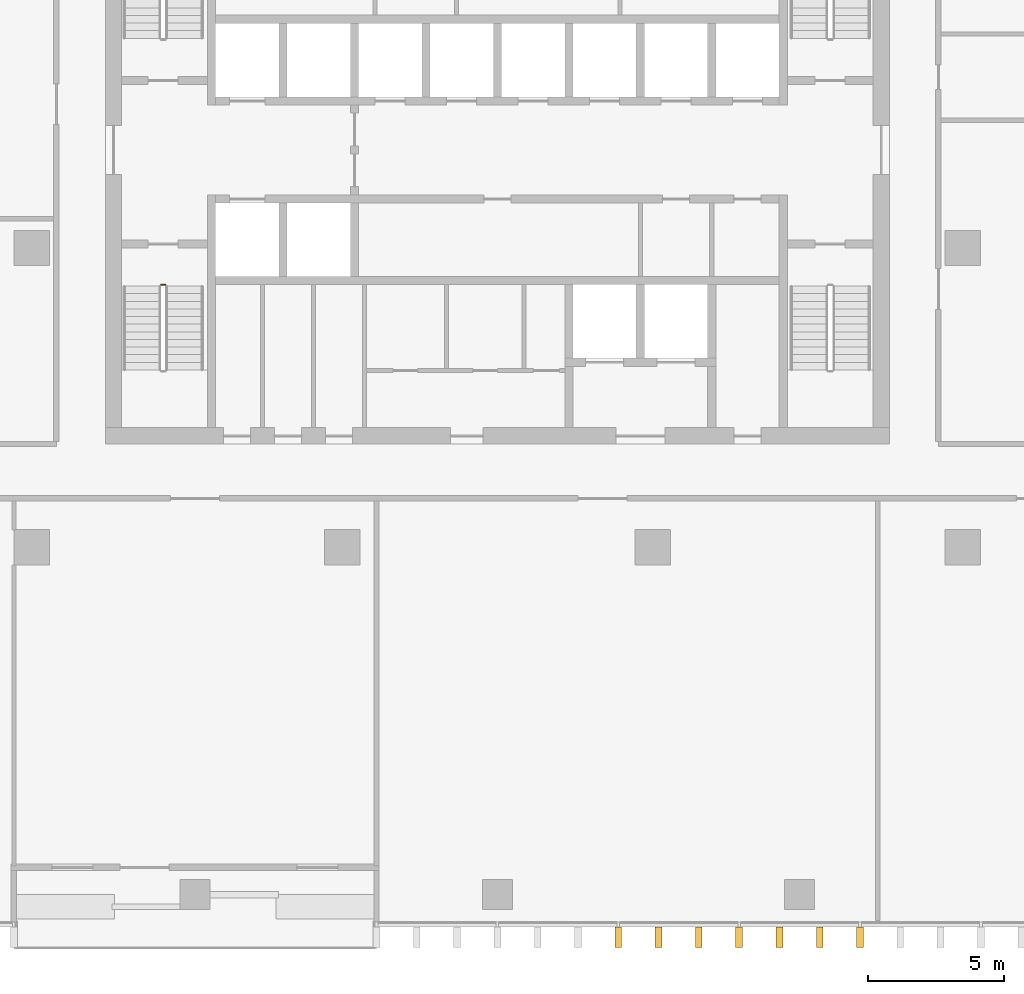
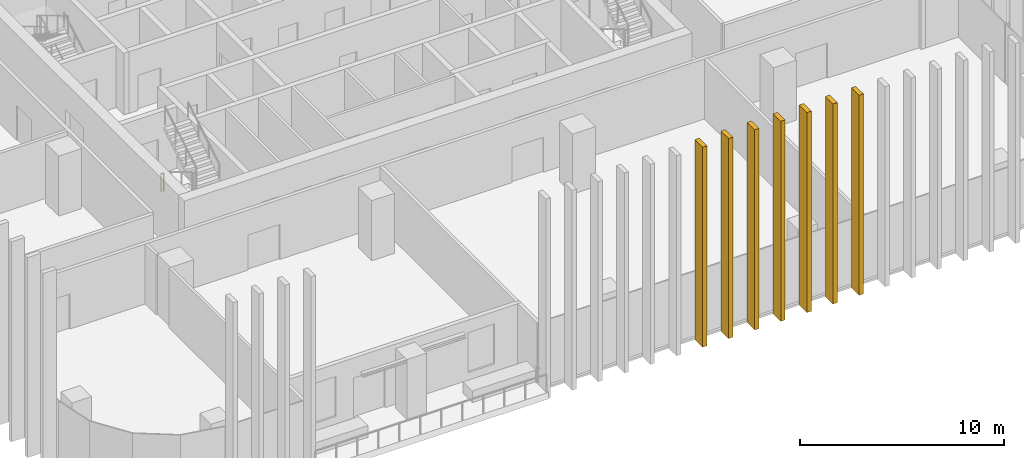
# One storey, part 12 of 15: 7 shading devices, 1 railing.
"""IFC4 building model written with IfcOpenShell, lengths in metres."""

import ifcopenshell
import ifcopenshell.guid

model = None  # the IFC model being written
_history = None  # IfcOwnerHistory: only IFC2X3 demands one
_inside = {}  # id of a spatial element -> (the spatial element, [elements in it])
_under = {}  # id of a project, library or spatial element -> (it, [spatial elements below it])
_declared = {}  # id of a project -> (the project, [libraries it declares])
_typed = {}  # id of a type object -> (the type object, [elements of that type])
_made_of = {}  # id of a material, layer set ... -> (it, [elements and type objects made of it])


def new_model(schema):
    """Start an empty IFC model of exactly this schema.

    Asked for "IFC4X3", IfcOpenShell would pick the latest addendum, in which some entities
    have other attributes; the version numbers below select the first issue.
    IFC2X3 requires an IfcOwnerHistory on every rooted entity: one is made here for all.
    """
    global model, _history
    if schema == "IFC4X3":
        model = ifcopenshell.file(schema_version=(4, 3, 0, 0))
    else:
        model = ifcopenshell.file(schema=schema)
    _inside.clear()
    _under.clear()
    _declared.clear()
    _typed.clear()
    _made_of.clear()
    _history = None
    if model.schema == "IFC2X3":
        org = make("IfcOrganization", Name="unknown")
        user = make(
            "IfcPersonAndOrganization",
            ThePerson=make("IfcPerson", FamilyName="unknown"),
            TheOrganization=org,
        )
        app = make(
            "IfcApplication",
            ApplicationDeveloper=org,
            Version="unknown",
            ApplicationFullName="unknown",
            ApplicationIdentifier="unknown",
        )
        _history = make(
            "IfcOwnerHistory",
            OwningUser=user,
            OwningApplication=app,
            ChangeAction="ADDED",
            CreationDate=0,
        )
    return model


def make(cls, **values):
    """One entity of the class cls with the attributes given. An attribute that is None is left unset."""
    return model.create_entity(
        cls, **{name: value for name, value in values.items() if value is not None}
    )


def rooted(cls, **values):
    """An entity with a GlobalId (a new one), such as an element, a storey or a relation."""
    return make(cls, GlobalId=ifcopenshell.guid.new(), OwnerHistory=_history, **values)


def si_unit(unit_type, name, prefix=None):
    """IfcSIUnit, for example si_unit("LENGTHUNIT", "METRE", prefix="MILLI")."""
    return make("IfcSIUnit", UnitType=unit_type, Prefix=prefix, Name=name)


def assignment(units):
    """IfcUnitAssignment: the units of a project."""
    return None if units is None else make("IfcUnitAssignment", Units=units)


def point(xyz):
    """IfcCartesianPoint."""
    return None if xyz is None else make("IfcCartesianPoint", Coordinates=xyz)


def direction(xyz):
    """IfcDirection."""
    return None if xyz is None else make("IfcDirection", DirectionRatios=xyz)


def frame(location, z_axis=None, x_axis=None):
    """IfcAxis2Placement3D, a coordinate frame: its origin and axes. An axis left out is left unset."""
    return make(
        "IfcAxis2Placement3D",
        Location=point(location),
        Axis=direction(z_axis),
        RefDirection=direction(x_axis),
    )


def frame_2d(location, x_axis=None):
    """IfcAxis2Placement2D, a coordinate frame in the plane: its origin and x axis."""
    return make(
        "IfcAxis2Placement2D", Location=point(location), RefDirection=direction(x_axis)
    )


def origin():
    """The frame at (0, 0, 0) with its axes left unset."""
    return frame((0.0, 0.0, 0.0))


def origin_2d():
    """The frame at (0, 0) in the plane with its x axis left unset."""
    return frame_2d((0.0, 0.0))


def place(relative_to, where):
    """IfcLocalPlacement: puts the frame where relative to a parent placement (None: the world)."""
    return make(
        "IfcLocalPlacement", PlacementRelTo=relative_to, RelativePlacement=where
    )


def context(
    kind, dimensions, precision=None, world=None, true_north=None, identifier=None
):
    """IfcGeometricRepresentationContext, for example the 3D "Model" context."""
    return make(
        "IfcGeometricRepresentationContext",
        ContextIdentifier=identifier,
        ContextType=kind,
        CoordinateSpaceDimension=dimensions,
        Precision=precision,
        WorldCoordinateSystem=world,
        TrueNorth=true_north,
    )


def subcontext(parent, identifier, kind, view, scale=None):
    """IfcGeometricRepresentationSubContext, for example "Body" below "Model"."""
    return make(
        "IfcGeometricRepresentationSubContext",
        ContextIdentifier=identifier,
        ContextType=kind,
        ParentContext=parent,
        TargetScale=scale,
        TargetView=view,
    )


def project(units=None, contexts=None):
    """IfcProject with its units and contexts."""
    return rooted(
        "IfcProject",
        Name="project",
        RepresentationContexts=contexts,
        UnitsInContext=assignment(units),
    )


def spatial(cls, under=None, at=None, **own):
    """A site, building, storey or space (cls), placed at a placement, below another one or the project."""
    s = rooted(cls, ObjectPlacement=at, **own)
    if under is not None:
        _under.setdefault(under.id(), (under, []))[1].append(s)
    return s


def profile(cls, at=None, kind="AREA", **sizes):
    """A parametric profile (cls). Its sizes go by their IFC names, for example OverallWidth=200.0."""
    return make(cls, ProfileType=kind, Position=at, **sizes)


def rectangle(**sizes):
    """IfcRectangleProfileDef."""
    return profile("IfcRectangleProfileDef", **sizes)


def circle(**sizes):
    """IfcCircleProfileDef."""
    return profile("IfcCircleProfileDef", **sizes)


def extrude(swept, where, along, depth):
    """IfcExtrudedAreaSolid: the profile swept, set in the frame where, extruded along a direction by depth."""
    return make(
        "IfcExtrudedAreaSolid",
        SweptArea=swept,
        Position=where,
        ExtrudedDirection=direction(along),
        Depth=depth,
    )


def shape(context_of_items, identifier, shape_type, items):
    """IfcShapeRepresentation: the items that make up one representation, for example the "Body"."""
    return make(
        "IfcShapeRepresentation",
        ContextOfItems=context_of_items,
        RepresentationIdentifier=identifier,
        RepresentationType=shape_type,
        Items=items,
    )


def material(Name=None, Category=None):
    """IfcMaterial."""
    return make("IfcMaterial", Name=Name, Category=Category)


def made_of(thing, what):
    """Note that an element or type object is made of a material, layer set ...; save() writes the relation."""
    if what is not None:
        _made_of.setdefault(what.id(), (what, []))[1].append(thing)
    return thing


def type_object(cls, material=None, **own):
    """A type object (cls), such as IfcWallType, which elements share."""
    return made_of(rooted(cls, **own), material)


def element(
    cls,
    number,
    at=None,
    inside=None,
    cuts=None,
    type_object=None,
    material=None,
    context=None,
    identifier="Body",
    shape_type=None,
    held_by="IfcProductDefinitionShape",
    body=None,
    shapes=None,
    **own,
):
    """One element of the class cls, such as IfcWall. Its Tag is "e" and its number.

    at: its placement. inside: the storey or other place that contains it. cuts: it is an
    opening in that element (IfcRelVoidsElement). A single representation is given by context,
    identifier, shape_type and body (its items); several are given by shapes. held_by: the class
    of the entity that holds the representations. save() writes the other relations.
    """
    e = rooted(cls, Tag="e%d" % number, ObjectPlacement=at, **own)
    if body is not None:
        shapes = [shape(context, identifier, shape_type, body)]
    if shapes is not None:
        e.Representation = make(held_by, Representations=shapes)
    if inside is not None:
        _inside.setdefault(inside.id(), (inside, []))[1].append(e)
    if cuts is not None:
        rooted(
            "IfcRelVoidsElement", RelatingBuildingElement=cuts, RelatedOpeningElement=e
        )
    if type_object is not None:
        _typed.setdefault(type_object.id(), (type_object, []))[1].append(e)
    return made_of(e, material)


def aggregate(whole, parts):
    """IfcRelAggregates: a whole, such as a stair, and the parts it consists of."""
    return rooted("IfcRelAggregates", RelatingObject=whole, RelatedObjects=parts)


def save(model, path):
    """Write the relations noted so far, then the file.

    IfcRelAggregates (storeys below a building ...), IfcRelContainedInSpatialStructure (elements
    in a storey), IfcRelDefinesByType, IfcRelAssociatesMaterial and IfcRelDeclares: one each for
    every whole, place, type object, material and project.
    """
    for whole, parts in _under.values():
        aggregate(whole, parts)
    for where, things in _inside.values():
        rooted(
            "IfcRelContainedInSpatialStructure",
            RelatedElements=things,
            RelatingStructure=where,
        )
    for kind, things in _typed.values():
        rooted("IfcRelDefinesByType", RelatedObjects=things, RelatingType=kind)
    for what, things in _made_of.values():
        rooted("IfcRelAssociatesMaterial", RelatedObjects=things, RelatingMaterial=what)
    for by, libraries in _declared.values():
        rooted("IfcRelDeclares", RelatingContext=by, RelatedDefinitions=libraries)
    model.write(path)


model = new_model("IFC4")

# Units and contexts
model_context = context("Model", 3, precision=1e-05, world=origin(), true_north=direction((0.0, 1.0)))
body_context = subcontext(model_context, "Body", "Model", "MODEL_VIEW")
ifc_project = project(units=[si_unit("LENGTHUNIT", "METRE"), si_unit("AREAUNIT", "SQUARE_METRE"), si_unit("VOLUMEUNIT", "CUBIC_METRE"), si_unit("PLANEANGLEUNIT", "RADIAN"), si_unit("MASSUNIT", "GRAM", prefix="KILO")], contexts=[model_context])

# Site, building, storey
site_placement = place(None, origin())
site = spatial("IfcSite", under=ifc_project, at=site_placement, CompositionType="ELEMENT")
building_placement = place(site_placement, origin())
building = spatial("IfcBuilding", under=site, at=building_placement, Name="Mopane Tessera Tower", CompositionType="ELEMENT")
storey_placement = place(building_placement, frame((0.0, 0.0, 223.0)))
storey = spatial("IfcBuildingStorey", under=building, at=storey_placement, Name="L47", CompositionType="ELEMENT", Elevation=223.0)

# Shading devices
ifc_material_1 = material(Name="Glazed ceramic tile")
shading_device_type = type_object("IfcShadingDeviceType", Name="Ceramic tile fin 750 x 250 mm", PredefinedType="USERDEFINED", material=ifc_material_1)
for number, where, z_axis, x_axis, name in (
    (1, (4.43994140625, -25.324951171875, -0.39990234375), (0.0, 0.0, 1.0), (1.0, 0.0, 0.0), "e:fin:L47:S:6:0"),
    (2, (5.919921875, -25.324951171875, -0.39990234375), (0.0, 0.0, 1.0), (1.0, 0.0, 0.0), "e:fin:L47:S:6:1"),
    (3, (7.39990234375, -25.324951171875, -0.39990234375), (0.0, 0.0, 1.0), (1.0, 0.0, 0.0), "e:fin:L47:S:6:2"),
    (4, (8.8798828125, -25.324951171875, -0.39990234375), (0.0, 0.0, 1.0), (1.0, 0.0, 0.0), "e:fin:L47:S:7:0"),
    (5, (10.360107421875, -25.324951171875, -0.39990234375), (0.0, 0.0, 1.0), (1.0, 0.0, 0.0), "e:fin:L47:S:7:1"),
    (6, (11.840087890625, -25.324951171875, -0.39990234375), (0.0, 0.0, 1.0), (1.0, 0.0, 0.0), "e:fin:L47:S:7:2"),
    (7, (13.320068359375, -25.324951171875, -0.39990234375), (0.0, 0.0, 1.0), (1.0, 0.0, 0.0), "e:fin:L47:S:8:0"),
):
    element("IfcShadingDevice", number, at=place(storey_placement, frame(where, z_axis=z_axis, x_axis=x_axis)), inside=storey, type_object=shading_device_type, Name=name, ObjectType="FIN", PredefinedType="USERDEFINED", context=body_context, shape_type="SweptSolid", body=[
        extrude(rectangle(XDim=0.25, YDim=0.75, at=origin_2d()), origin(), (0.0, 0.0, 1.0), 12.0),
    ])

# Railing
ifc_material_2 = material(Name="Powder-coated steel balustrade", Category="steel")
railing_type = type_object("IfcRailingType", Name="Escape stair guard 1100 mm", PredefinedType="GUARDRAIL", material=ifc_material_2)
railing_placement = place(storey_placement, frame((-12.35009765625, -1.35009765625, 0.0)))
element("IfcRailing", 8, at=railing_placement, inside=storey, type_object=railing_type, Name="L47 ST1 stair guard 3", PredefinedType="GUARDRAIL", context=body_context, shape_type="SweptSolid", body=[
    extrude(circle(Radius=0.02392578125, at=origin_2d()), frame((0.0, 0.0, 1.076171875), z_axis=(1.0, 0.0, 0.0), x_axis=(0.0, 1.0, 0.0)), (0.0, 0.0, 1.0), 0.150146484375),
    extrude(circle(Radius=0.02099609375, at=origin_2d()), origin(), (0.0, 0.0, 1.0), 1.052001953125),
    extrude(circle(Radius=0.02099609375, at=origin_2d()), frame((0.150146484375, 0.0, 0.0)), (0.0, 0.0, 1.0), 1.052001953125),
])

save(model, "model.ifc")
